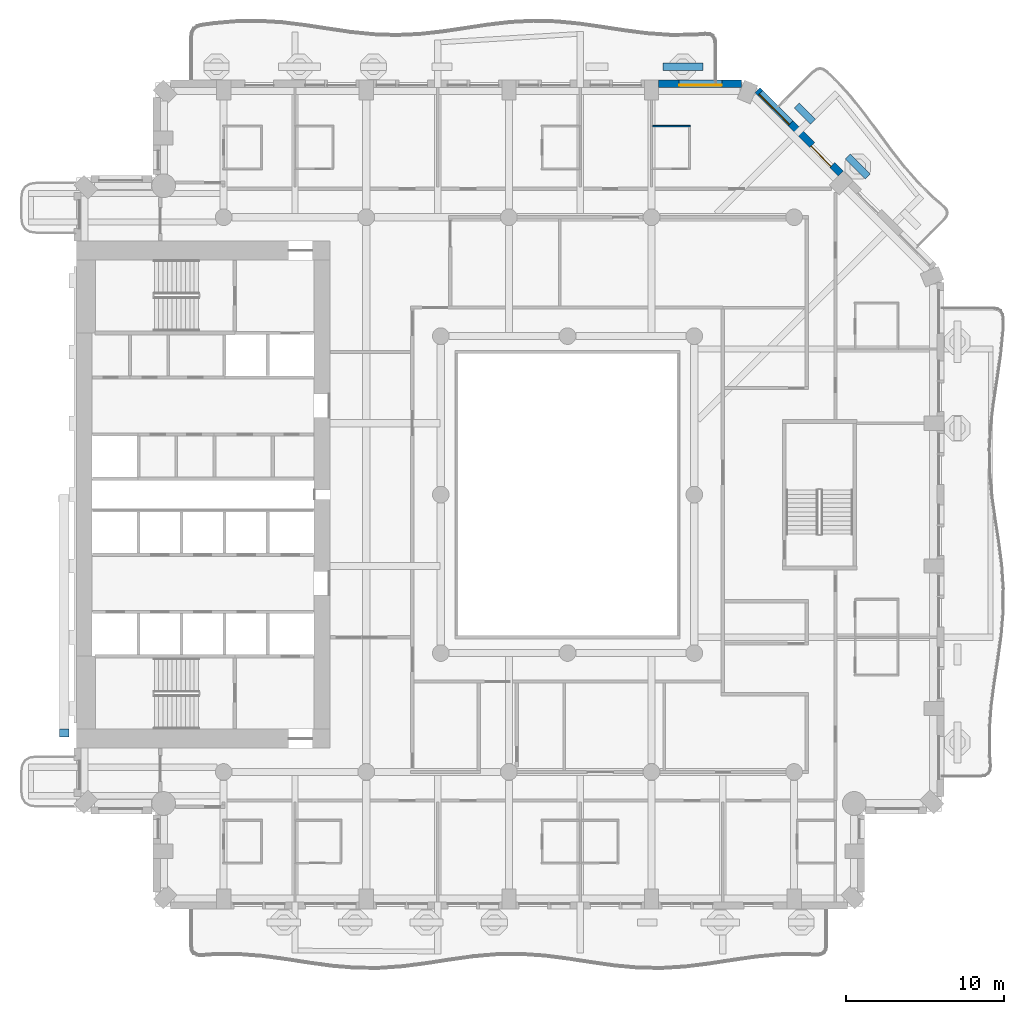
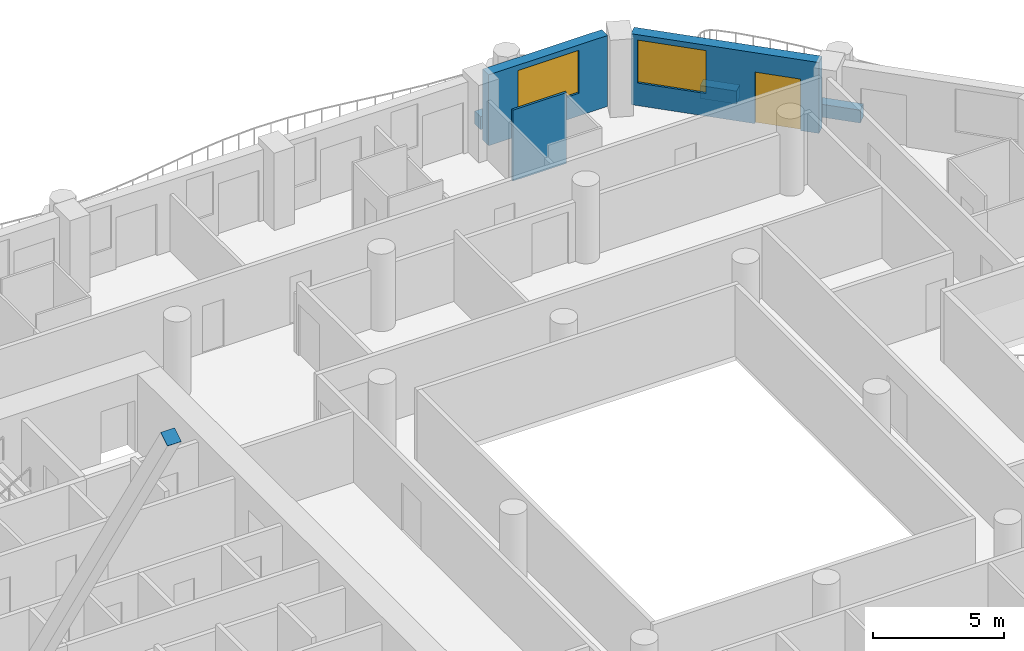
# One storey, part 10 of 21: 6 walls, 2 windows, 1 discrete accessory, 1 door, 3 openings.
"""IFC4 building model written with IfcOpenShell, lengths in metres."""

from ifc_helpers import new_model, si_unit, direction, frame, frame_2d, origin, origin_2d, place, context, subcontext, project, spatial, rectangle, extrude, material, layer, layer_set, material_profile, profile_set, type_object, element, fill, save


model = new_model("IFC4")

# Units and contexts
model_context = context("Model", 3, precision=1e-05, world=origin(), true_north=direction((0.0, 1.0)))
body_context = subcontext(model_context, "Body", "Model", "MODEL_VIEW")
ifc_project = project(units=[si_unit("LENGTHUNIT", "METRE"), si_unit("AREAUNIT", "SQUARE_METRE"), si_unit("VOLUMEUNIT", "CUBIC_METRE"), si_unit("PLANEANGLEUNIT", "RADIAN"), si_unit("MASSUNIT", "GRAM", prefix="KILO")], contexts=[model_context])

# Site, building, storey
site_placement = place(None, origin())
site = spatial("IfcSite", under=ifc_project, at=site_placement, CompositionType="ELEMENT")
building_placement = place(site_placement, origin())
building = spatial("IfcBuilding", under=site, at=building_placement, Name="Cypress Arch Tower", CompositionType="ELEMENT")
storey_placement = place(building_placement, frame((0.0, 0.0, 127.5)))
storey = spatial("IfcBuildingStorey", under=building, at=storey_placement, Name="L27", CompositionType="ELEMENT", Elevation=127.5)

# Walls
ifc_material_1 = material(Name="Concrete C40/50, waterproofed", Category="concrete")
ifc_layer_1 = layer(ifc_material_1, 0.449951171875)
ifc_layer_set_1 = layer_set([ifc_layer_1], Name="Balcony planter wall PW450")
wall_type_1 = type_object("IfcWallType", Name="Balcony planter wall PW450", PredefinedType="SOLIDWALL", material=ifc_layer_set_1)
wall_1_placement = place(storey_placement, frame((19.9365234375, 20.07763671875, 0.0), z_axis=(0.0, 0.0, 1.0), x_axis=(-0.707106781187, 0.707106781187, 0.0)))
element("IfcWall", 1, at=wall_1_placement, inside=storey, type_object=wall_type_1, Name="Balcony planter wall L27-A07.2", PredefinedType="SOLIDWALL", context=body_context, shape_type="SweptSolid", body=[
    extrude(rectangle(XDim=1.780517578125, YDim=0.449951171875, at=frame_2d((0.89013671875, 0.0))), origin(), (0.0, 0.0, 1.0), 0.60009765625),
])
wall_2_placement = place(storey_placement, frame((16.485595703125, 23.528564453125, 0.0), z_axis=(0.0, 0.0, 1.0), x_axis=(-0.707022305137, 0.707191247145, 0.0)))
element("IfcWall", 2, at=wall_2_placement, inside=storey, type_object=wall_type_1, Name="Balcony planter wall L27-A07.3", PredefinedType="SOLIDWALL", context=body_context, shape_type="SweptSolid", body=[
    extrude(rectangle(XDim=1.445068359375, YDim=0.449951171875, at=frame_2d((0.72265625, 0.0))), origin(), (0.0, 0.0, 1.0), 0.60009765625),
])
wall_3_placement = place(storey_placement, frame((9.550048828125, 27.0, 0.0), z_axis=(0.0, 0.0, 1.0), x_axis=(-1.0, 0.0, 0.0)))
element("IfcWall", 3, at=wall_3_placement, inside=storey, type_object=wall_type_1, Name="Balcony planter wall L27-A08.1", PredefinedType="SOLIDWALL", context=body_context, shape_type="SweptSolid", body=[
    extrude(rectangle(XDim=2.53759765625, YDim=0.449951171875, at=frame_2d((1.268798828125, 0.0))), origin(), (0.0, 0.0, 1.0), 0.60009765625),
])

# Wall, openings, door, window
ifc_material_2 = material(Name="Brick (red buff blend)", Category="masonry")
ifc_layer_2 = layer(ifc_material_2, 0.449951171875)
ifc_layer_set_2 = layer_set([ifc_layer_2], Name="Brick pier and spandrel wall BW450")
wall_type_2 = type_object("IfcWallType", Name="Brick pier and spandrel wall BW450", PredefinedType="SOLIDWALL", material=ifc_layer_set_2)
wall_4_placement = place(storey_placement, frame((18.228759765625, 20.26513671875, 0.0), z_axis=(0.0, 0.0, 1.0), x_axis=(-0.707106781187, 0.707106781187, 0.0)))
wall_4 = element("IfcWall", 4, at=wall_4_placement, inside=storey, type_object=wall_type_2, Name="Brick wall L27 A07.1", PredefinedType="SOLIDWALL", context=body_context, shape_type="SweptSolid", body=[
    extrude(rectangle(XDim=7.423828125, YDim=0.449951171875, at=frame_2d((3.7119140625, 0.0))), origin(), (0.0, 0.0, 1.0), 3.300048828125),
])
opening_1_placement = place(wall_4_placement, frame((0.740234375, 0.0, 0.0)))
opening_1 = element("IfcOpeningElement", 5, at=opening_1_placement, cuts=wall_4, Name="Opening D-L27-A07.1.1", PredefinedType="OPENING", context=body_context, shape_type="SweptSolid", body=[
    extrude(rectangle(XDim=1.800048828125, YDim=2.39990234375, at=frame_2d((0.89990234375, 1.199951171875))), frame((0.0, 0.23486328125, 0.0), z_axis=(0.0, -1.0, 0.0), x_axis=(1.0, 0.0, 0.0)), (0.0, 0.0, 1.0), 0.469970703125),
])
opening_2_placement = place(wall_4_placement, frame((4.470703125, 0.0, 1.050048828125)))
opening_2 = element("IfcOpeningElement", 6, at=opening_2_placement, cuts=wall_4, Name="Opening W270HD", PredefinedType="OPENING", context=body_context, shape_type="SweptSolid", body=[
    extrude(rectangle(XDim=2.699951171875, YDim=2.0, at=frame_2d((1.35009765625, 1.0))), frame((0.0, 0.23486328125, 0.0), z_axis=(0.0, -1.0, 0.0), x_axis=(1.0, 0.0, 0.0)), (0.0, 0.0, 1.0), 0.469970703125),
])
ifc_material_3 = material(Name="Anodised aluminium, bronze finish, laminated low-emissivity double glazing, large-missile impact rated", Category="aluminium")
door_type = type_object("IfcDoorType", Name="Balcony sliding door 1800x2400", OperationType="SLIDING_TO_LEFT", PredefinedType="DOOR", material=ifc_material_3)
door_placement = place(opening_1_placement, origin())
door = element("IfcDoor", 7, at=door_placement, inside=storey, type_object=door_type, Name="Balcony door L27 A07.1.1", OperationType="SLIDING_TO_LEFT", OverallHeight=2.39990234375, OverallWidth=1.800048828125, PredefinedType="DOOR", context=body_context, shape_type="SweptSolid", body=[
    extrude(rectangle(XDim=1.800048828125, YDim=2.39990234375, at=frame_2d((0.89990234375, 1.199951171875))), frame((0.0, 0.1298828125, 0.0), z_axis=(0.0, -1.0, 0.0), x_axis=(1.0, 0.0, 0.0)), (0.0, 0.0, 1.0), 0.050048828125),
])
fill(opening_1, door)
ifc_material_4 = material(Name="Anodised aluminium, bronze finish, laminated low-emissivity double glazing, large-missile impact rated", Category="aluminium")
window_type = type_object("IfcWindowType", Name="Window Hotel 2700x2000 debris-rated", PartitioningType="SINGLE_PANEL", PredefinedType="WINDOW", material=ifc_material_4)
window_1_placement = place(opening_2_placement, origin())
window_1 = element("IfcWindow", 8, at=window_1_placement, inside=storey, type_object=window_type, Name="Window L27 A07.1.2", OverallHeight=2.0, OverallWidth=2.699951171875, PartitioningType="SINGLE_PANEL", PredefinedType="WINDOW", context=body_context, shape_type="SweptSolid", body=[
    extrude(rectangle(XDim=2.699951171875, YDim=2.0, at=frame_2d((1.35009765625, 1.0))), frame((0.0, 0.135009765625, 0.0), z_axis=(0.0, -1.0, 0.0), x_axis=(1.0, 0.0, 0.0)), (0.0, 0.0, 1.0), 0.06005859375),
])
fill(opening_2, window_1)

# Wall, opening, window
wall_5_placement = place(storey_placement, frame((11.98876953125, 25.925048828125, 0.0), z_axis=(0.0, 0.0, 1.0), x_axis=(-1.0, 0.0, 0.0)))
wall_5 = element("IfcWall", 9, at=wall_5_placement, inside=storey, type_object=wall_type_2, Name="Brick wall L27 A08.0", PredefinedType="SOLIDWALL", context=body_context, shape_type="SweptSolid", body=[
    extrude(rectangle(XDim=5.23876953125, YDim=0.449951171875, at=frame_2d((2.619384765625, 0.0))), origin(), (0.0, 0.0, 1.0), 3.300048828125),
])
opening_3_placement = place(wall_5_placement, frame((1.250732421875, 0.0, 1.050048828125)))
opening_3 = element("IfcOpeningElement", 10, at=opening_3_placement, cuts=wall_5, Name="Opening W270HD", PredefinedType="OPENING", context=body_context, shape_type="SweptSolid", body=[
    extrude(rectangle(XDim=2.699951171875, YDim=2.0, at=frame_2d((1.35009765625, 1.0))), frame((0.0, 0.23486328125, 0.0), z_axis=(0.0, -1.0, 0.0), x_axis=(1.0, 0.0, 0.0)), (0.0, 0.0, 1.0), 0.469970703125),
])
window_2_placement = place(opening_3_placement, origin())
window_2 = element("IfcWindow", 11, at=window_2_placement, inside=storey, type_object=window_type, Name="Window L27 A08.0.1", OverallHeight=2.0, OverallWidth=2.699951171875, PartitioningType="SINGLE_PANEL", PredefinedType="WINDOW", context=body_context, shape_type="SweptSolid", body=[
    extrude(rectangle(XDim=2.699951171875, YDim=2.0, at=frame_2d((1.35009765625, 1.0))), frame((0.0, 0.135009765625, 0.0), z_axis=(0.0, -1.0, 0.0), x_axis=(1.0, 0.0, 0.0)), (0.0, 0.0, 1.0), 0.06005859375),
])
fill(opening_3, window_2)

# Wall
ifc_material_5 = material(Name="Moisture resistant board on steel studs, tiled", Category="steel")
ifc_layer_3 = layer(ifc_material_5, 0.10009765625)
ifc_layer_set_3 = layer_set([ifc_layer_3], Name="Wet wall PW100")
wall_type_3 = type_object("IfcWallType", Name="Wet wall PW100", PredefinedType="PARTITIONING", material=ifc_layer_set_3)
wall_6_placement = place(storey_placement, frame((6.375, 23.25, 0.0), z_axis=(0.0, 0.0, 1.0), x_axis=(1.0, 0.0, 0.0)))
element("IfcWall", 12, at=wall_6_placement, inside=storey, type_object=wall_type_3, Name="Wet wall", PredefinedType="PARTITIONING", context=body_context, shape_type="SweptSolid", body=[
    extrude(rectangle(XDim=2.37109375, YDim=0.10009765625, at=frame_2d((1.185546875, 0.0))), origin(), (0.0, 0.0, 1.0), 3.300048828125),
])

# Discrete accessory
ifc_material_6 = material(Name="Steel ASTM A992", Category="steel")
ifc_material_profile = material_profile(ifc_material_6, rectangle(XDim=0.609619140625, YDim=0.609619140625, at=origin_2d()), Name="PL 20 610x610")
ifc_profile_set = profile_set([ifc_material_profile], Name="Steel ASTM A992")
discrete_accessory_type = type_object("IfcDiscreteAccessoryType", Name="End cap plate 610x610x20 Steel ASTM A992", PredefinedType="ANCHORPLATE", material=ifc_profile_set)
discrete_accessory_placement = place(storey_placement, frame((-30.7548828125, -15.036376953125, 24.275390625), z_axis=(0.0, -0.523418105875, 0.852075986308), x_axis=(1.0, 0.0, 0.0)))
element("IfcDiscreteAccessory", 13, at=discrete_accessory_placement, inside=storey, type_object=discrete_accessory_type, Name="End cap plate west bracing 2", PredefinedType="ANCHORPLATE", context=body_context, shape_type="SweptSolid", body=[
    extrude(rectangle(XDim=0.609619140625, YDim=0.609619140625, at=origin_2d()), origin(), (0.0, 0.0, 1.0), 0.02001953125),
])

save(model, "model.ifc")
